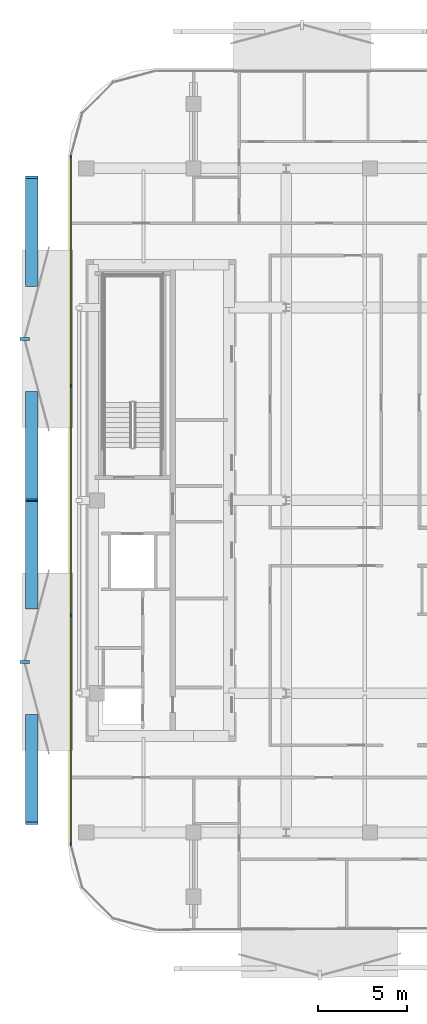
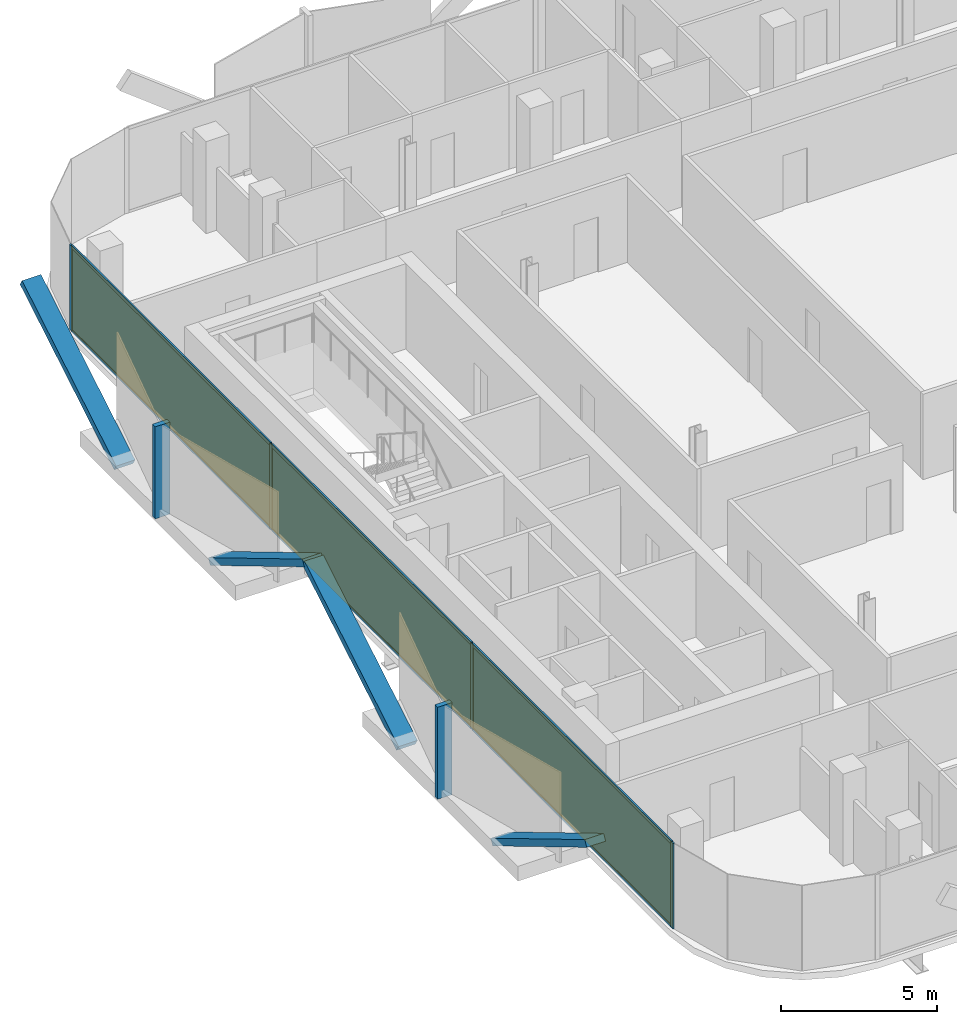
# One storey, part 9 of 15: 16 members, 3 plates, 1 curtain wall.
"""IFC4 building model written with IfcOpenShell, lengths in metres."""

import ifcopenshell
import ifcopenshell.guid

model = None  # the IFC model being written
_history = None  # IfcOwnerHistory: only IFC2X3 demands one
_inside = {}  # id of a spatial element -> (the spatial element, [elements in it])
_under = {}  # id of a project, library or spatial element -> (it, [spatial elements below it])
_declared = {}  # id of a project -> (the project, [libraries it declares])
_typed = {}  # id of a type object -> (the type object, [elements of that type])
_made_of = {}  # id of a material, layer set ... -> (it, [elements and type objects made of it])


def new_model(schema):
    """Start an empty IFC model of exactly this schema.

    Asked for "IFC4X3", IfcOpenShell would pick the latest addendum, in which some entities
    have other attributes; the version numbers below select the first issue.
    IFC2X3 requires an IfcOwnerHistory on every rooted entity: one is made here for all.
    """
    global model, _history
    if schema == "IFC4X3":
        model = ifcopenshell.file(schema_version=(4, 3, 0, 0))
    else:
        model = ifcopenshell.file(schema=schema)
    _inside.clear()
    _under.clear()
    _declared.clear()
    _typed.clear()
    _made_of.clear()
    _history = None
    if model.schema == "IFC2X3":
        org = make("IfcOrganization", Name="unknown")
        user = make(
            "IfcPersonAndOrganization",
            ThePerson=make("IfcPerson", FamilyName="unknown"),
            TheOrganization=org,
        )
        app = make(
            "IfcApplication",
            ApplicationDeveloper=org,
            Version="unknown",
            ApplicationFullName="unknown",
            ApplicationIdentifier="unknown",
        )
        _history = make(
            "IfcOwnerHistory",
            OwningUser=user,
            OwningApplication=app,
            ChangeAction="ADDED",
            CreationDate=0,
        )
    return model


def make(cls, **values):
    """One entity of the class cls with the attributes given. An attribute that is None is left unset."""
    return model.create_entity(
        cls, **{name: value for name, value in values.items() if value is not None}
    )


def rooted(cls, **values):
    """An entity with a GlobalId (a new one), such as an element, a storey or a relation."""
    return make(cls, GlobalId=ifcopenshell.guid.new(), OwnerHistory=_history, **values)


def si_unit(unit_type, name, prefix=None):
    """IfcSIUnit, for example si_unit("LENGTHUNIT", "METRE", prefix="MILLI")."""
    return make("IfcSIUnit", UnitType=unit_type, Prefix=prefix, Name=name)


def assignment(units):
    """IfcUnitAssignment: the units of a project."""
    return None if units is None else make("IfcUnitAssignment", Units=units)


def point(xyz):
    """IfcCartesianPoint."""
    return None if xyz is None else make("IfcCartesianPoint", Coordinates=xyz)


def direction(xyz):
    """IfcDirection."""
    return None if xyz is None else make("IfcDirection", DirectionRatios=xyz)


def frame(location, z_axis=None, x_axis=None):
    """IfcAxis2Placement3D, a coordinate frame: its origin and axes. An axis left out is left unset."""
    return make(
        "IfcAxis2Placement3D",
        Location=point(location),
        Axis=direction(z_axis),
        RefDirection=direction(x_axis),
    )


def frame_2d(location, x_axis=None):
    """IfcAxis2Placement2D, a coordinate frame in the plane: its origin and x axis."""
    return make(
        "IfcAxis2Placement2D", Location=point(location), RefDirection=direction(x_axis)
    )


def origin():
    """The frame at (0, 0, 0) with its axes left unset."""
    return frame((0.0, 0.0, 0.0))


def origin_2d():
    """The frame at (0, 0) in the plane with its x axis left unset."""
    return frame_2d((0.0, 0.0))


def place(relative_to, where):
    """IfcLocalPlacement: puts the frame where relative to a parent placement (None: the world)."""
    return make(
        "IfcLocalPlacement", PlacementRelTo=relative_to, RelativePlacement=where
    )


def context(
    kind, dimensions, precision=None, world=None, true_north=None, identifier=None
):
    """IfcGeometricRepresentationContext, for example the 3D "Model" context."""
    return make(
        "IfcGeometricRepresentationContext",
        ContextIdentifier=identifier,
        ContextType=kind,
        CoordinateSpaceDimension=dimensions,
        Precision=precision,
        WorldCoordinateSystem=world,
        TrueNorth=true_north,
    )


def subcontext(parent, identifier, kind, view, scale=None):
    """IfcGeometricRepresentationSubContext, for example "Body" below "Model"."""
    return make(
        "IfcGeometricRepresentationSubContext",
        ContextIdentifier=identifier,
        ContextType=kind,
        ParentContext=parent,
        TargetScale=scale,
        TargetView=view,
    )


def project(units=None, contexts=None):
    """IfcProject with its units and contexts."""
    return rooted(
        "IfcProject",
        Name="project",
        RepresentationContexts=contexts,
        UnitsInContext=assignment(units),
    )


def spatial(cls, under=None, at=None, **own):
    """A site, building, storey or space (cls), placed at a placement, below another one or the project."""
    s = rooted(cls, ObjectPlacement=at, **own)
    if under is not None:
        _under.setdefault(under.id(), (under, []))[1].append(s)
    return s


def profile(cls, at=None, kind="AREA", **sizes):
    """A parametric profile (cls). Its sizes go by their IFC names, for example OverallWidth=200.0."""
    return make(cls, ProfileType=kind, Position=at, **sizes)


def rectangle(**sizes):
    """IfcRectangleProfileDef."""
    return profile("IfcRectangleProfileDef", **sizes)


def extrude(swept, where, along, depth):
    """IfcExtrudedAreaSolid: the profile swept, set in the frame where, extruded along a direction by depth."""
    return make(
        "IfcExtrudedAreaSolid",
        SweptArea=swept,
        Position=where,
        ExtrudedDirection=direction(along),
        Depth=depth,
    )


def shape(context_of_items, identifier, shape_type, items):
    """IfcShapeRepresentation: the items that make up one representation, for example the "Body"."""
    return make(
        "IfcShapeRepresentation",
        ContextOfItems=context_of_items,
        RepresentationIdentifier=identifier,
        RepresentationType=shape_type,
        Items=items,
    )


def material(Name=None, Category=None):
    """IfcMaterial."""
    return make("IfcMaterial", Name=Name, Category=Category)


def layer(
    of_material, thickness, ventilated=None, Name=None, Category=None, Priority=None
):
    """IfcMaterialLayer: one layer of a wall or slab, of a material (None: an air gap)."""
    return make(
        "IfcMaterialLayer",
        Material=of_material,
        LayerThickness=thickness,
        IsVentilated=ventilated,
        Name=Name,
        Category=Category,
        Priority=Priority,
    )


def layer_set(layers, Name=None):
    """IfcMaterialLayerSet."""
    return make("IfcMaterialLayerSet", MaterialLayers=layers, LayerSetName=Name)


def material_profile(
    of_material, cross_section, Name=None, Category=None, Priority=None
):
    """IfcMaterialProfile: a cross section and its material."""
    return make(
        "IfcMaterialProfile",
        Name=Name,
        Material=of_material,
        Profile=cross_section,
        Priority=Priority,
        Category=Category,
    )


def profile_set(profiles, Name=None, composite=None):
    """IfcMaterialProfileSet."""
    return make(
        "IfcMaterialProfileSet",
        Name=Name,
        MaterialProfiles=profiles,
        CompositeProfile=composite,
    )


def made_of(thing, what):
    """Note that an element or type object is made of a material, layer set ...; save() writes the relation."""
    if what is not None:
        _made_of.setdefault(what.id(), (what, []))[1].append(thing)
    return thing


def type_object(cls, material=None, **own):
    """A type object (cls), such as IfcWallType, which elements share."""
    return made_of(rooted(cls, **own), material)


def element(
    cls,
    number,
    at=None,
    inside=None,
    cuts=None,
    type_object=None,
    material=None,
    context=None,
    identifier="Body",
    shape_type=None,
    held_by="IfcProductDefinitionShape",
    body=None,
    shapes=None,
    **own,
):
    """One element of the class cls, such as IfcWall. Its Tag is "e" and its number.

    at: its placement. inside: the storey or other place that contains it. cuts: it is an
    opening in that element (IfcRelVoidsElement). A single representation is given by context,
    identifier, shape_type and body (its items); several are given by shapes. held_by: the class
    of the entity that holds the representations. save() writes the other relations.
    """
    e = rooted(cls, Tag="e%d" % number, ObjectPlacement=at, **own)
    if body is not None:
        shapes = [shape(context, identifier, shape_type, body)]
    if shapes is not None:
        e.Representation = make(held_by, Representations=shapes)
    if inside is not None:
        _inside.setdefault(inside.id(), (inside, []))[1].append(e)
    if cuts is not None:
        rooted(
            "IfcRelVoidsElement", RelatingBuildingElement=cuts, RelatedOpeningElement=e
        )
    if type_object is not None:
        _typed.setdefault(type_object.id(), (type_object, []))[1].append(e)
    return made_of(e, material)


def aggregate(whole, parts):
    """IfcRelAggregates: a whole, such as a stair, and the parts it consists of."""
    return rooted("IfcRelAggregates", RelatingObject=whole, RelatedObjects=parts)


def save(model, path):
    """Write the relations noted so far, then the file.

    IfcRelAggregates (storeys below a building ...), IfcRelContainedInSpatialStructure (elements
    in a storey), IfcRelDefinesByType, IfcRelAssociatesMaterial and IfcRelDeclares: one each for
    every whole, place, type object, material and project.
    """
    for whole, parts in _under.values():
        aggregate(whole, parts)
    for where, things in _inside.values():
        rooted(
            "IfcRelContainedInSpatialStructure",
            RelatedElements=things,
            RelatingStructure=where,
        )
    for kind, things in _typed.values():
        rooted("IfcRelDefinesByType", RelatedObjects=things, RelatingType=kind)
    for what, things in _made_of.values():
        rooted("IfcRelAssociatesMaterial", RelatedObjects=things, RelatingMaterial=what)
    for by, libraries in _declared.values():
        rooted("IfcRelDeclares", RelatingContext=by, RelatedDefinitions=libraries)
    model.write(path)


model = new_model("IFC4")

# Units and contexts
model_context = context("Model", 3, precision=1e-05, world=origin(), true_north=direction((0.0, 1.0)))
body_context = subcontext(model_context, "Body", "Model", "MODEL_VIEW")
ifc_project = project(units=[si_unit("LENGTHUNIT", "METRE"), si_unit("AREAUNIT", "SQUARE_METRE"), si_unit("VOLUMEUNIT", "CUBIC_METRE"), si_unit("PLANEANGLEUNIT", "RADIAN"), si_unit("MASSUNIT", "GRAM", prefix="KILO")], contexts=[model_context])

# Member
ifc_material_1 = material(Name="Anodised Bronze Aluminium 6063-T6", Category="aluminium")
ifc_material_profile_1 = material_profile(ifc_material_1, rectangle(XDim=0.260009765625, YDim=0.699951171875, at=origin_2d()))
ifc_profile_set_1 = profile_set([ifc_material_profile_1], Name="Anodised Bronze Aluminium 6063-T6")
member_type_1 = type_object("IfcMemberType", Name="Bronze Diamond Solar-Screen Lattice Rib BDL-700", PredefinedType="MULLION", material=ifc_profile_set_1)
site_placement = place(None, origin())
building_placement = place(site_placement, origin())
storey_placement = place(building_placement, frame((0.0, 0.0, 262.0)))
member_1_placement = place(storey_placement, frame((-23.449951171875, -6.0302734375, -0.1298828125), z_axis=(0.0, 0.858641022274, 0.512577403783), x_axis=(0.0, -0.512577403783, 0.858641022274)))
member_1 = element("IfcMember", 1, at=member_1_placement, type_object=member_type_1, Name="L62 Bronze Diamond Solar Screen Lattice Rib 427A", PredefinedType="MULLION", context=body_context, shape_type="SweptSolid", body=[
    extrude(rectangle(XDim=0.260009765625, YDim=0.699951171875, at=origin_2d()), origin(), (0.0, 0.0, 1.0), 7.02294921875),
])

member_2_placement = place(storey_placement, frame((-23.449951171875, -12.060546875, -0.1298828125), z_axis=(0.0, -0.858641022274, 0.512577403783), x_axis=(0.0, 0.512577403783, 0.858641022274)))
member_2 = element("IfcMember", 2, at=member_2_placement, type_object=member_type_1, Name="L62 Bronze Diamond Solar Screen Lattice Rib 427B", PredefinedType="MULLION", context=body_context, shape_type="SweptSolid", body=[
    extrude(rectangle(XDim=0.260009765625, YDim=0.699951171875, at=origin_2d()), origin(), (0.0, 0.0, 1.0), 7.02294921875),
])

member_3_placement = place(storey_placement, frame((-23.449951171875, 12.060546875, -0.1298828125), z_axis=(0.0, 0.858641022274, 0.512577403783), x_axis=(0.0, -0.512577403783, 0.858641022274)))
member_3 = element("IfcMember", 3, at=member_3_placement, type_object=member_type_1, Name="L62 Bronze Diamond Solar Screen Lattice Rib 428A", PredefinedType="MULLION", context=body_context, shape_type="SweptSolid", body=[
    extrude(rectangle(XDim=0.260009765625, YDim=0.699951171875, at=origin_2d()), origin(), (0.0, 0.0, 1.0), 7.02294921875),
])

member_4_placement = place(storey_placement, frame((-23.449951171875, 6.0302734375, -0.1298828125), z_axis=(0.0, -0.858641022274, 0.512577403783), x_axis=(0.0, 0.512577403783, 0.858641022274)))
member_4 = element("IfcMember", 4, at=member_4_placement, type_object=member_type_1, Name="L62 Bronze Diamond Solar Screen Lattice Rib 428B", PredefinedType="MULLION", context=body_context, shape_type="SweptSolid", body=[
    extrude(rectangle(XDim=0.260009765625, YDim=0.699951171875, at=origin_2d()), origin(), (0.0, 0.0, 1.0), 7.02294921875),
])

ifc_material_2 = material(Name="Anodised Bronze Aluminium 6063-T6", Category="aluminium")
ifc_material_profile_2 = material_profile(ifc_material_2, rectangle(XDim=0.179931640625, YDim=0.5400390625, at=origin_2d()))
ifc_profile_set_2 = profile_set([ifc_material_profile_2], Name="Anodised Bronze Aluminium 6063-T6")
member_type_2 = type_object("IfcMemberType", Name="Bronze Solar-Screen Vertical Fold Fin BSF-540", PredefinedType="MULLION", material=ifc_profile_set_2)
member_5_placement = place(storey_placement, frame((-23.840087890625, -9.04541015625, -0.1298828125), z_axis=(0.0, 0.0, 1.0), x_axis=(0.0, 1.0, 0.0)))
member_5 = element("IfcMember", 5, at=member_5_placement, type_object=member_type_2, Name="L62 Bronze Solar Screen Vertical Fin 427", PredefinedType="MULLION", context=body_context, shape_type="SweptSolid", body=[
    extrude(rectangle(XDim=0.179931640625, YDim=0.5400390625, at=origin_2d()), origin(), (0.0, 0.0, 1.0), 3.599853515625),
])

member_6_placement = place(storey_placement, frame((-23.840087890625, 9.04541015625, -0.1298828125), z_axis=(0.0, 0.0, 1.0), x_axis=(0.0, 1.0, 0.0)))
member_6 = element("IfcMember", 6, at=member_6_placement, type_object=member_type_2, Name="L62 Bronze Solar Screen Vertical Fin 428", PredefinedType="MULLION", context=body_context, shape_type="SweptSolid", body=[
    extrude(rectangle(XDim=0.179931640625, YDim=0.5400390625, at=origin_2d()), origin(), (0.0, 0.0, 1.0), 3.599853515625),
])

ifc_material_3 = material(Name="Anodised Bronze Aluminium 6063-T6", Category="aluminium")
ifc_material_profile_3 = material_profile(ifc_material_3, rectangle(XDim=0.06005859375, YDim=0.159912109375, at=origin_2d()))
ifc_profile_set_3 = profile_set([ifc_material_profile_3], Name="Anodised Bronze Aluminium 6063-T6")
member_type_3 = type_object("IfcMemberType", Name="CW-Z4 Mullion 60x160", PredefinedType="MULLION", material=ifc_profile_set_3)
member_7_placement = place(storey_placement, frame((-21.260009765625, -19.2607421875, 0.0), z_axis=(0.0, 0.0, 1.0), x_axis=(-1.0, 0.0, 0.0)))
member_7 = element("IfcMember", 7, at=member_7_placement, type_object=member_type_3, Name="CW-Z4 mullion 1", PredefinedType="MULLION", context=body_context, shape_type="SweptSolid", body=[
    extrude(rectangle(XDim=0.06005859375, YDim=0.159912109375, at=origin_2d()), origin(), (0.0, 0.0, 1.0), 3.340087890625),
])

member_8_placement = place(storey_placement, frame((-21.260009765625, -6.43017578125, 0.0), z_axis=(0.0, 0.0, 1.0), x_axis=(-1.0, 0.0, 0.0)))
member_8 = element("IfcMember", 8, at=member_8_placement, type_object=member_type_3, Name="CW-Z4 mullion 2", PredefinedType="MULLION", context=body_context, shape_type="SweptSolid", body=[
    extrude(rectangle(XDim=0.06005859375, YDim=0.159912109375, at=origin_2d()), origin(), (0.0, 0.0, 1.0), 3.340087890625),
])

member_9_placement = place(storey_placement, frame((-21.260009765625, 6.43017578125, 0.0), z_axis=(0.0, 0.0, 1.0), x_axis=(-1.0, 0.0, 0.0)))
member_9 = element("IfcMember", 9, at=member_9_placement, type_object=member_type_3, Name="CW-Z4 mullion 3", PredefinedType="MULLION", context=body_context, shape_type="SweptSolid", body=[
    extrude(rectangle(XDim=0.06005859375, YDim=0.159912109375, at=origin_2d()), origin(), (0.0, 0.0, 1.0), 3.340087890625),
])

member_10_placement = place(storey_placement, frame((-21.260009765625, 19.2607421875, 0.0), z_axis=(0.0, 0.0, 1.0), x_axis=(-1.0, 0.0, 0.0)))
member_10 = element("IfcMember", 10, at=member_10_placement, type_object=member_type_3, Name="CW-Z4 mullion 4", PredefinedType="MULLION", context=body_context, shape_type="SweptSolid", body=[
    extrude(rectangle(XDim=0.06005859375, YDim=0.159912109375, at=origin_2d()), origin(), (0.0, 0.0, 1.0), 3.340087890625),
])

ifc_material_4 = material(Name="Anodised Bronze Aluminium 6063-T6", Category="aluminium")
ifc_material_profile_4 = material_profile(ifc_material_4, rectangle(XDim=0.06005859375, YDim=0.125, at=origin_2d()))
ifc_profile_set_4 = profile_set([ifc_material_profile_4], Name="Anodised Bronze Aluminium 6063-T6")
member_type_4 = type_object("IfcMemberType", Name="CW-Z4 Transom 60x125", PredefinedType="USERDEFINED", material=ifc_profile_set_4)
member_11_placement = place(storey_placement, frame((-21.260009765625, -19.230712890625, 0.030029296875), z_axis=(0.0, 1.0, 0.0), x_axis=(-1.0, 0.0, 0.0)))
member_11 = element("IfcMember", 11, at=member_11_placement, type_object=member_type_4, Name="CW-Z4 transom 1.1", ObjectType="TRANSOM", PredefinedType="USERDEFINED", context=body_context, shape_type="SweptSolid", body=[
    extrude(rectangle(XDim=0.06005859375, YDim=0.125, at=origin_2d()), origin(), (0.0, 0.0, 1.0), 12.7705078125),
])

member_12_placement = place(storey_placement, frame((-21.260009765625, -19.230712890625, 3.31005859375), z_axis=(0.0, 1.0, 0.0), x_axis=(-1.0, 0.0, 0.0)))
member_12 = element("IfcMember", 12, at=member_12_placement, type_object=member_type_4, Name="CW-Z4 transom 1.2", ObjectType="TRANSOM", PredefinedType="USERDEFINED", context=body_context, shape_type="SweptSolid", body=[
    extrude(rectangle(XDim=0.06005859375, YDim=0.125, at=origin_2d()), origin(), (0.0, 0.0, 1.0), 12.7705078125),
])

member_13_placement = place(storey_placement, frame((-21.260009765625, -6.400146484375, 0.030029296875), z_axis=(0.0, 1.0, 0.0), x_axis=(-1.0, 0.0, 0.0)))
member_13 = element("IfcMember", 13, at=member_13_placement, type_object=member_type_4, Name="CW-Z4 transom 2.1", ObjectType="TRANSOM", PredefinedType="USERDEFINED", context=body_context, shape_type="SweptSolid", body=[
    extrude(rectangle(XDim=0.06005859375, YDim=0.125, at=origin_2d()), origin(), (0.0, 0.0, 1.0), 12.80029296875),
])

member_14_placement = place(storey_placement, frame((-21.260009765625, -6.400146484375, 3.31005859375), z_axis=(0.0, 1.0, 0.0), x_axis=(-1.0, 0.0, 0.0)))
member_14 = element("IfcMember", 14, at=member_14_placement, type_object=member_type_4, Name="CW-Z4 transom 2.2", ObjectType="TRANSOM", PredefinedType="USERDEFINED", context=body_context, shape_type="SweptSolid", body=[
    extrude(rectangle(XDim=0.06005859375, YDim=0.125, at=origin_2d()), origin(), (0.0, 0.0, 1.0), 12.80029296875),
])

member_15_placement = place(storey_placement, frame((-21.260009765625, 6.460205078125, 0.030029296875), z_axis=(0.0, 1.0, 0.0), x_axis=(-1.0, 0.0, 0.0)))
member_15 = element("IfcMember", 15, at=member_15_placement, type_object=member_type_4, Name="CW-Z4 transom 3.1", ObjectType="TRANSOM", PredefinedType="USERDEFINED", context=body_context, shape_type="SweptSolid", body=[
    extrude(rectangle(XDim=0.06005859375, YDim=0.125, at=origin_2d()), origin(), (0.0, 0.0, 1.0), 12.7705078125),
])

member_16_placement = place(storey_placement, frame((-21.260009765625, 6.460205078125, 3.31005859375), z_axis=(0.0, 1.0, 0.0), x_axis=(-1.0, 0.0, 0.0)))
member_16 = element("IfcMember", 16, at=member_16_placement, type_object=member_type_4, Name="CW-Z4 transom 3.2", ObjectType="TRANSOM", PredefinedType="USERDEFINED", context=body_context, shape_type="SweptSolid", body=[
    extrude(rectangle(XDim=0.06005859375, YDim=0.125, at=origin_2d()), origin(), (0.0, 0.0, 1.0), 12.7705078125),
])

# Plate
ifc_material_5 = material(Name="Low-E Solar Control Laminated Glass", Category="glass")
ifc_layer_1 = layer(ifc_material_5, 0.030029296875, Name="Low-E Solar Control Laminated Glass")
ifc_layer_set_1 = layer_set([ifc_layer_1], Name="Low-E Solar Control Laminated Glass")
plate_type = type_object("IfcPlateType", Name="CW-Z4 Low-E Double Glazed Panel 30mm", PredefinedType="CURTAIN_PANEL", material=ifc_layer_set_1)
plate_1_placement = place(storey_placement, frame((-21.260009765625, -12.845458984375, 0.06005859375), z_axis=(0.0, 0.0, 1.0), x_axis=(0.0, 1.0, 0.0)))
plate_1 = element("IfcPlate", 17, at=plate_1_placement, type_object=plate_type, Name="CW-Z4 panel 1.1", PredefinedType="CURTAIN_PANEL", context=body_context, shape_type="SweptSolid", body=[
    extrude(rectangle(XDim=12.7705078125, YDim=0.030029296875, at=origin_2d()), origin(), (0.0, 0.0, 1.0), 3.219970703125),
])

plate_2_placement = place(storey_placement, frame((-21.260009765625, 0.0, 0.06005859375), z_axis=(0.0, 0.0, 1.0), x_axis=(0.0, 1.0, 0.0)))
plate_2 = element("IfcPlate", 18, at=plate_2_placement, type_object=plate_type, Name="CW-Z4 panel 2.1", PredefinedType="CURTAIN_PANEL", context=body_context, shape_type="SweptSolid", body=[
    extrude(rectangle(XDim=12.800537109375, YDim=0.030029296875, at=origin_2d()), origin(), (0.0, 0.0, 1.0), 3.219970703125),
])

plate_3_placement = place(storey_placement, frame((-21.260009765625, 12.845458984375, 0.06005859375), z_axis=(0.0, 0.0, 1.0), x_axis=(0.0, 1.0, 0.0)))
plate_3 = element("IfcPlate", 19, at=plate_3_placement, type_object=plate_type, Name="CW-Z4 panel 3.1", PredefinedType="CURTAIN_PANEL", context=body_context, shape_type="SweptSolid", body=[
    extrude(rectangle(XDim=12.7705078125, YDim=0.030029296875, at=origin_2d()), origin(), (0.0, 0.0, 1.0), 3.219970703125),
])

# Site, building, storey
site = spatial("IfcSite", under=ifc_project, at=site_placement, CompositionType="ELEMENT")
building = spatial("IfcBuilding", under=site, at=building_placement, Name="Khairoan Windgate Tower", CompositionType="ELEMENT")
storey = spatial("IfcBuildingStorey", under=building, at=storey_placement, Name="L62", CompositionType="ELEMENT", Elevation=262.0)

# Curtain wall
ifc_material_6 = material(Name="Anodised Bronze Aluminium 6063-T6", Category="aluminium")
ifc_layer_2 = layer(ifc_material_6, 0.159912109375, Name="Anodised Bronze Aluminium 6063-T6")
ifc_layer_set_2 = layer_set([ifc_layer_2], Name="Anodised Bronze Aluminium 6063-T6")
curtain_wall_type = type_object("IfcCurtainWallType", Name="Sky Residence Unitised Curtain Wall CW-Z4", PredefinedType="NOTDEFINED", material=ifc_layer_set_2)
curtain_wall_placement = place(storey_placement, frame((-21.260009765625, -19.290771484375, 0.0), z_axis=(0.0, 0.0, 1.0), x_axis=(0.0, 1.0, 0.0)))
curtain_wall = element("IfcCurtainWall", 20, at=curtain_wall_placement, inside=storey, type_object=curtain_wall_type, Name="L62 Unitised Curtain Wall 5", PredefinedType="NOTDEFINED", context=body_context, shape_type="SweptSolid", body=[
    extrude(rectangle(XDim=38.58154296875, YDim=0.010009765625, at=frame_2d((19.290771484375, 0.0))), origin(), (0.0, 0.0, 1.0), 3.340087890625),
])

aggregate(curtain_wall, [member_7, member_8, member_9, member_10, member_11, member_12, plate_1, member_13, member_14, plate_2, member_15, member_16, plate_3, member_1, member_2, member_5, member_3, member_4, member_6])

save(model, "model.ifc")
